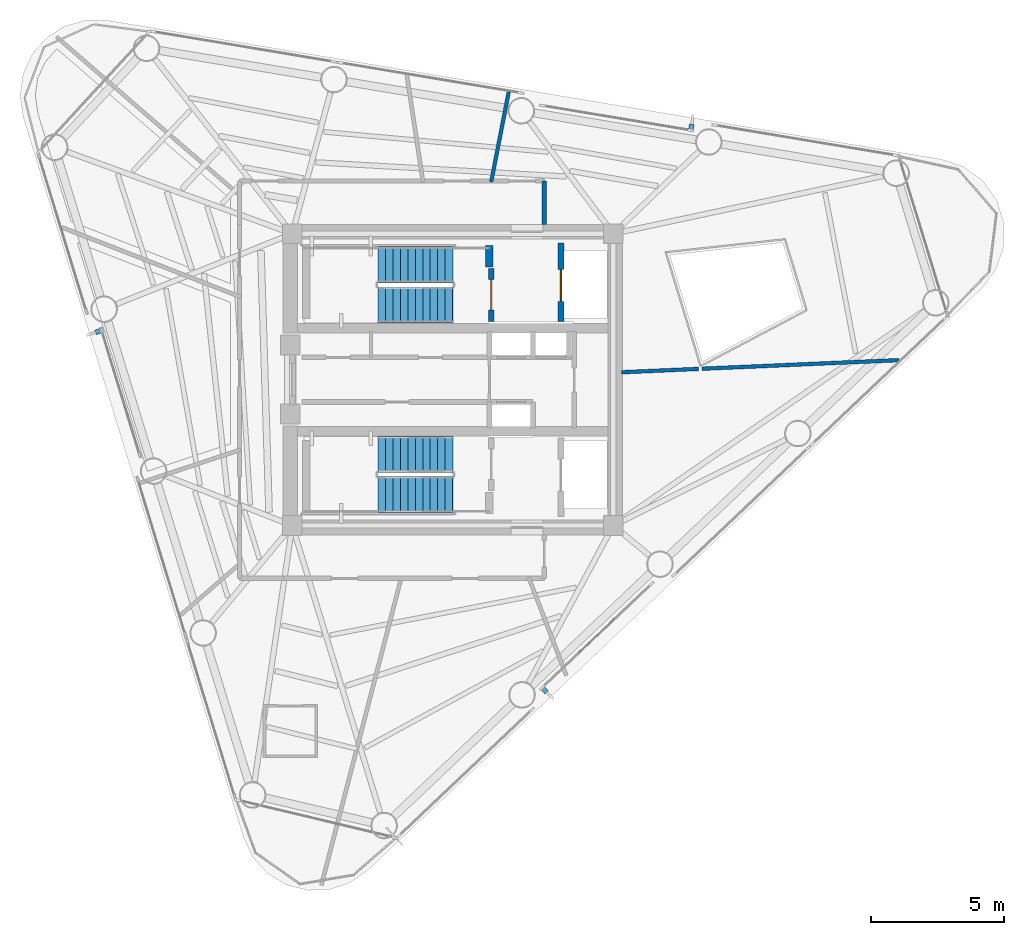
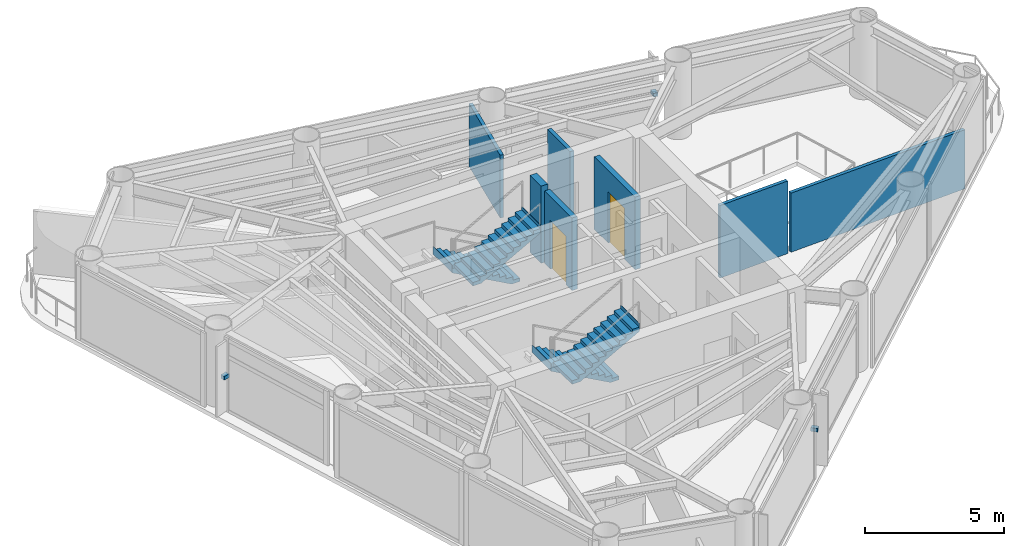
# One storey, part 6 of 8: 7 walls, 4 stair flights, 3 discrete accessories, 2 doors, 2 openings, 2 elements without a shape of their own.
"""IFC4 building model written with IfcOpenShell, lengths in metres."""

from ifc_helpers import new_model, si_unit, direction, frame, frame_2d, origin, origin_2d, place, context, subcontext, project, spatial, polyline, rectangle, outline, extrude, source, transform, mapped, material, layer, layer_set, type_object, element, fill, aggregate, save


model = new_model("IFC4")

# Units and contexts
model_context = context("Model", 3, precision=1e-05, world=origin(), true_north=direction((0.0, 1.0)))
body_context = subcontext(model_context, "Body", "Model", "MODEL_VIEW")
ifc_project = project(units=[si_unit("LENGTHUNIT", "METRE"), si_unit("AREAUNIT", "SQUARE_METRE"), si_unit("VOLUMEUNIT", "CUBIC_METRE"), si_unit("PLANEANGLEUNIT", "RADIAN"), si_unit("MASSUNIT", "GRAM", prefix="KILO")], contexts=[model_context])

# Site, building, storey
site_placement = place(None, origin())
site = spatial("IfcSite", under=ifc_project, at=site_placement, CompositionType="ELEMENT")
building_placement = place(site_placement, origin())
building = spatial("IfcBuilding", under=site, at=building_placement, Name="Yunling Apex Tower", CompositionType="ELEMENT")
storey_placement = place(building_placement, frame((0.0, 0.0, 238.85009765625)))
storey = spatial("IfcBuildingStorey", under=building, at=storey_placement, Name="L58", CompositionType="ELEMENT", Elevation=238.85009765625)

# Walls
ifc_material_1 = material(Name="Concrete C40", Category="concrete")
ifc_layer_1 = layer(ifc_material_1, 0.280029296875)
ifc_layer_set_1 = layer_set([ifc_layer_1], Name="Concrete C40")
wall_type_1 = type_object("IfcWallType", Name="WL-COR-8", PredefinedType="SHEAR", material=ifc_layer_set_1)
wall_1_placement = place(storey_placement, frame((1.3798828125, 4.25, 0.0), z_axis=(0.0, 0.0, 1.0), x_axis=(0.0, 1.0, 0.0)))
element("IfcWall", 1, at=wall_1_placement, inside=storey, type_object=wall_type_1, Name="L58 ST-1 East Landing Bearing Pier", PredefinedType="SHEAR", context=body_context, shape_type="SweptSolid", body=[
    extrude(rectangle(XDim=0.800048828125, YDim=0.280029296875, at=frame_2d((0.39990234375, 0.0))), origin(), (0.0, 0.0, 1.0), 3.39990234375),
])
ifc_material_2 = material(Name="Gypsum board acoustic partition")
ifc_layer_2 = layer(ifc_material_2, 0.159912109375)
ifc_layer_set_2 = layer_set([ifc_layer_2], Name="Gypsum board acoustic partition")
wall_type_2 = type_object("IfcWallType", Name="WL-PRT-1", PredefinedType="PARTITIONING", material=ifc_layer_set_2)
wall_2_placement = place(storey_placement, frame((3.449951171875, 7.489990234375, 0.0), z_axis=(0.0, 0.0, 1.0), x_axis=(0.0, -1.0, 0.0)))
element("IfcWall", 2, at=wall_2_placement, inside=storey, type_object=wall_type_2, Name="WL-CORR-L58-04", PredefinedType="PARTITIONING", context=body_context, shape_type="SweptSolid", body=[
    extrude(rectangle(XDim=1.639892578125, YDim=0.159912109375, at=frame_2d((0.81982421875, 0.0))), origin(), (0.0, 0.0, 1.0), 3.199951171875),
])
ifc_layer_3 = layer(ifc_material_2, 0.139892578125)
ifc_layer_set_3 = layer_set([ifc_layer_3], Name="Gypsum board acoustic partition")
wall_type_3 = type_object("IfcWallType", Name="WL-PRT-2", PredefinedType="PARTITIONING", material=ifc_layer_set_3)
wall_3_placement = place(storey_placement, frame((6.360107421875, 0.277587890625, 0.0), z_axis=(0.0, 0.0, 1.0), x_axis=(0.999048037217, 0.043623609819, 0.0)))
element("IfcWall", 3, at=wall_3_placement, inside=storey, type_object=wall_type_3, Name="WL-RAD-L58-01", PredefinedType="PARTITIONING", context=body_context, shape_type="SweptSolid", body=[
    extrude(rectangle(XDim=2.89892578125, YDim=0.139892578125, at=frame_2d((1.449462890625, 0.0))), origin(), (0.0, 0.0, 1.0), 3.199951171875),
])
wall_4_placement = place(storey_placement, frame((9.389892578125, 0.409912109375, 0.0), z_axis=(0.0, 0.0, 1.0), x_axis=(0.999047971421, 0.043625116619, 0.0)))
element("IfcWall", 4, at=wall_4_placement, inside=storey, type_object=wall_type_3, Name="WL-RAD-L58-02", PredefinedType="PARTITIONING", context=body_context, shape_type="SweptSolid", body=[
    extrude(rectangle(XDim=7.443115234375, YDim=0.139892578125, at=frame_2d((3.7216796875, 0.0))), origin(), (0.0, 0.0, 1.0), 2.60498046875),
])
wall_5_placement = place(storey_placement, frame((1.447998046875, 7.449951171875, 0.0), z_axis=(0.0, 0.0, 1.0), x_axis=(0.19085452876, 0.981618331558, 0.0)))
element("IfcWall", 5, at=wall_5_placement, inside=storey, type_object=wall_type_3, Name="WL-RAD-L58-03", PredefinedType="PARTITIONING", context=body_context, shape_type="SweptSolid", body=[
    extrude(rectangle(XDim=3.455078125, YDim=0.139892578125, at=frame_2d((1.7275390625, 0.0))), origin(), (0.0, 0.0, 1.0), 2.764892578125),
])

# Wall, opening, door
ifc_material_3 = material(Name="Autoclaved aerated concrete masonry", Category="masonry")
ifc_layer_4 = layer(ifc_material_3, 0.219970703125)
ifc_layer_set_4 = layer_set([ifc_layer_4], Name="Autoclaved aerated concrete masonry")
wall_type_4 = type_object("IfcWallType", Name="WL-SHF-1", PredefinedType="PLUMBINGWALL", material=ifc_layer_set_4)
wall_6_placement = place(storey_placement, frame((1.449951171875, 2.199951171875, 0.0), z_axis=(0.0, 0.0, 1.0), x_axis=(0.0, 1.0, 0.0)))
wall_6 = element("IfcWall", 6, at=wall_6_placement, inside=storey, type_object=wall_type_4, Name="WL-ST1-E-L58", PredefinedType="PLUMBINGWALL", context=body_context, shape_type="SweptSolid", body=[
    extrude(rectangle(XDim=1.97998046875, YDim=0.219970703125, at=frame_2d((0.989990234375, 0.0))), origin(), (0.0, 0.0, 1.0), 3.199951171875),
])
opening_1_placement = place(wall_6_placement, frame((0.419921875, 0.0, 0.0)))
opening_1 = element("IfcOpeningElement", 7, at=opening_1_placement, cuts=wall_6, Name="Opening DR-ST-1", PredefinedType="OPENING", context=body_context, shape_type="SweptSolid", body=[
    extrude(rectangle(XDim=1.14990234375, YDim=2.14990234375, at=frame_2d((0.574951171875, 1.074951171875))), frame((0.0, 0.1201171875, 0.0), z_axis=(0.0, -1.0, 0.0), x_axis=(1.0, 0.0, 0.0)), (0.0, 0.0, 1.0), 0.239990234375),
])
ifc_material_4 = material(Name="Steel Q355B", Category="steel")
door_type_1 = type_object("IfcDoorType", Name="DR-ST-1", OperationType="NOTDEFINED", PredefinedType="DOOR", material=ifc_material_4)
door_1_placement = place(opening_1_placement, origin())
door_1 = element("IfcDoor", 8, at=door_1_placement, inside=storey, type_object=door_type_1, Name="L58 Stair ST-1 Fire Door", OperationType="SINGLE_SWING_LEFT", OverallHeight=2.14990234375, OverallWidth=1.14990234375, PredefinedType="DOOR", context=body_context, shape_type="SweptSolid", body=[
    extrude(rectangle(XDim=1.14990234375, YDim=2.14990234375, at=frame_2d((0.574951171875, 1.074951171875))), frame((0.0, 0.02490234375, 0.0), z_axis=(0.0, -1.0, 0.0), x_axis=(1.0, 0.0, 0.0)), (0.0, 0.0, 1.0), 0.050048828125),
])
fill(opening_1, door_1)

wall_7_placement = place(storey_placement, frame((4.080078125, 2.199951171875, 0.0), z_axis=(0.0, 0.0, 1.0), x_axis=(0.0, 1.0, 0.0)))
wall_7 = element("IfcWall", 9, at=wall_7_placement, inside=storey, type_object=wall_type_4, Name="WL-FFL1-W-L58", PredefinedType="PLUMBINGWALL", context=body_context, shape_type="SweptSolid", body=[
    extrude(rectangle(XDim=2.949951171875, YDim=0.219970703125, at=frame_2d((1.47509765625, 0.0))), origin(), (0.0, 0.0, 1.0), 3.199951171875),
])
opening_2_placement = place(wall_7_placement, frame((0.75, 0.0, 0.0)))
opening_2 = element("IfcOpeningElement", 10, at=opening_2_placement, cuts=wall_7, Name="Opening LD-FFL-1", PredefinedType="OPENING", context=body_context, shape_type="SweptSolid", body=[
    extrude(rectangle(XDim=1.199951171875, YDim=2.25, at=frame_2d((0.60009765625, 1.125))), frame((0.0, 0.1201171875, 0.0), z_axis=(0.0, -1.0, 0.0), x_axis=(1.0, 0.0, 0.0)), (0.0, 0.0, 1.0), 0.239990234375),
])
door_type_2 = type_object("IfcDoorType", Name="LD-FFL-1", OperationType="DOUBLE_DOOR_SLIDING", PredefinedType="DOOR", material=ifc_material_4)
door_2_placement = place(opening_2_placement, origin())
door_2 = element("IfcDoor", 11, at=door_2_placement, inside=storey, type_object=door_type_2, Name="L58 Lift FFL-1 Landing Door", OperationType="DOUBLE_DOOR_SLIDING", OverallHeight=2.25, OverallWidth=1.199951171875, PredefinedType="DOOR", context=body_context, shape_type="SweptSolid", body=[
    extrude(rectangle(XDim=1.199951171875, YDim=2.25, at=frame_2d((0.60009765625, 1.125))), frame((0.0, 0.02490234375, 0.0), z_axis=(0.0, -1.0, 0.0), x_axis=(1.0, 0.0, 0.0)), (0.0, 0.0, 1.0), 0.050048828125),
])
fill(opening_2, door_2)

# Stair, stair flights
stair_type = type_object("IfcStairType", Name="ST-TWR-3", PredefinedType="HALF_TURN_STAIR", material=ifc_material_1)
stair_1_placement = place(storey_placement, origin())
stair_1 = element("IfcStair", 12, at=stair_1_placement, inside=storey, type_object=stair_type, Name="L58 North Core Smokeproof Exit Stair ST-1", PredefinedType="HALF_TURN_STAIR")
stair_flight_type = type_object("IfcStairFlightType", Name="SFL-TWR-3", PredefinedType="STRAIGHT", material=ifc_material_1)
stair_flight_1_placement = place(storey_placement, frame((-0.010009765625, 4.330078125, 0.0), z_axis=(0.0, 0.0, 1.0), x_axis=(-1.0, 0.0, 0.0)))
stair_flight_1 = element("IfcStairFlight", 13, at=stair_flight_1_placement, type_object=stair_flight_type, Name="ST-1 flight 1", NumberOfRisers=11, NumberOfTreads=10, PredefinedType="STRAIGHT", RiserHeight=0.154545455, TreadLength=0.28, context=body_context, shape_type="SweptSolid", body=[
    extrude(outline(polyline([(-0.011962890625, 0.0), (-0.011962890625, 0.154541015625), (0.0, 0.154541015625), (0.280029296875, 0.154541015625), (0.280029296875, 0.30908203125), (0.56005859375, 0.30908203125), (0.56005859375, 0.463623046875), (0.840087890625, 0.463623046875), (0.840087890625, 0.6181640625), (1.1201171875, 0.6181640625), (1.1201171875, 0.772705078125), (1.39990234375, 0.772705078125), (1.39990234375, 0.92724609375), (1.679931640625, 0.92724609375), (1.679931640625, 1.081787109375), (1.9599609375, 1.081787109375), (1.9599609375, 1.236328125), (2.239990234375, 1.236328125), (2.239990234375, 1.390869140625), (2.52001953125, 1.390869140625), (2.52001953125, 1.54541015625), (2.800048828125, 1.54541015625), (2.800048828125, 1.699951171875), (2.81201171875, 1.699951171875), (2.81201171875, 1.36279296875), (0.330810546875, 0.0), (-0.011962890625, 0.0)])), frame((0.0, 0.68017578125, 0.0), z_axis=(0.0, -1.0, 0.0), x_axis=(1.0, 0.0, 0.0)), (0.0, 0.0, 1.0), 1.360107421875),
])
stair_flight_2_placement = place(storey_placement, frame((-2.81005859375, 2.820068359375, 1.699951171875), z_axis=(0.0, 0.0, 1.0), x_axis=(1.0, 0.0, 0.0)))
stair_flight_2 = element("IfcStairFlight", 14, at=stair_flight_2_placement, type_object=stair_flight_type, Name="ST-1 flight 2", NumberOfRisers=11, NumberOfTreads=10, PredefinedType="STRAIGHT", RiserHeight=0.154545455, TreadLength=0.28, context=body_context, shape_type="SweptSolid", body=[
    extrude(outline(polyline([(-0.011962890625, 0.0), (-0.011962890625, 0.154541015625), (0.0, 0.154541015625), (0.280029296875, 0.154541015625), (0.280029296875, 0.30908203125), (0.56005859375, 0.30908203125), (0.56005859375, 0.463623046875), (0.840087890625, 0.463623046875), (0.840087890625, 0.6181640625), (1.1201171875, 0.6181640625), (1.1201171875, 0.772705078125), (1.39990234375, 0.772705078125), (1.39990234375, 0.92724609375), (1.679931640625, 0.92724609375), (1.679931640625, 1.081787109375), (1.9599609375, 1.081787109375), (1.9599609375, 1.236328125), (2.239990234375, 1.236328125), (2.239990234375, 1.390869140625), (2.52001953125, 1.390869140625), (2.52001953125, 1.54541015625), (2.800048828125, 1.54541015625), (2.800048828125, 1.699951171875), (2.81201171875, 1.699951171875), (2.81201171875, 1.36279296875), (0.330810546875, 0.0), (-0.011962890625, 0.0)])), frame((0.0, 0.68017578125, 0.0), z_axis=(0.0, -1.0, 0.0), x_axis=(1.0, 0.0, 0.0)), (0.0, 0.0, 1.0), 1.360107421875),
])
aggregate(stair_1, [stair_flight_1, stair_flight_2])

stair_2_placement = place(storey_placement, origin())
stair_2 = element("IfcStair", 15, at=stair_2_placement, inside=storey, type_object=stair_type, Name="L58 South Core Smokeproof Exit Stair ST-2", PredefinedType="HALF_TURN_STAIR")
stair_flight_3_placement = place(storey_placement, frame((-0.010009765625, -2.820068359375, 0.0), z_axis=(0.0, 0.0, 1.0), x_axis=(-1.0, 0.0, 0.0)))
stair_flight_3 = element("IfcStairFlight", 16, at=stair_flight_3_placement, type_object=stair_flight_type, Name="ST-2 flight 1", NumberOfRisers=11, NumberOfTreads=10, PredefinedType="STRAIGHT", RiserHeight=0.154545455, TreadLength=0.28, context=body_context, shape_type="SweptSolid", body=[
    extrude(outline(polyline([(-0.011962890625, 0.0), (-0.011962890625, 0.154541015625), (0.0, 0.154541015625), (0.280029296875, 0.154541015625), (0.280029296875, 0.30908203125), (0.56005859375, 0.30908203125), (0.56005859375, 0.463623046875), (0.840087890625, 0.463623046875), (0.840087890625, 0.6181640625), (1.1201171875, 0.6181640625), (1.1201171875, 0.772705078125), (1.39990234375, 0.772705078125), (1.39990234375, 0.92724609375), (1.679931640625, 0.92724609375), (1.679931640625, 1.081787109375), (1.9599609375, 1.081787109375), (1.9599609375, 1.236328125), (2.239990234375, 1.236328125), (2.239990234375, 1.390869140625), (2.52001953125, 1.390869140625), (2.52001953125, 1.54541015625), (2.800048828125, 1.54541015625), (2.800048828125, 1.699951171875), (2.81201171875, 1.699951171875), (2.81201171875, 1.36279296875), (0.330810546875, 0.0), (-0.011962890625, 0.0)])), frame((0.0, 0.68017578125, 0.0), z_axis=(0.0, -1.0, 0.0), x_axis=(1.0, 0.0, 0.0)), (0.0, 0.0, 1.0), 1.360107421875),
])
stair_flight_4_placement = place(storey_placement, frame((-2.81005859375, -4.330078125, 1.699951171875), z_axis=(0.0, 0.0, 1.0), x_axis=(1.0, 0.0, 0.0)))
stair_flight_4 = element("IfcStairFlight", 17, at=stair_flight_4_placement, type_object=stair_flight_type, Name="ST-2 flight 2", NumberOfRisers=11, NumberOfTreads=10, PredefinedType="STRAIGHT", RiserHeight=0.154545455, TreadLength=0.28, context=body_context, shape_type="SweptSolid", body=[
    extrude(outline(polyline([(-0.011962890625, 0.0), (-0.011962890625, 0.154541015625), (0.0, 0.154541015625), (0.280029296875, 0.154541015625), (0.280029296875, 0.30908203125), (0.56005859375, 0.30908203125), (0.56005859375, 0.463623046875), (0.840087890625, 0.463623046875), (0.840087890625, 0.6181640625), (1.1201171875, 0.6181640625), (1.1201171875, 0.772705078125), (1.39990234375, 0.772705078125), (1.39990234375, 0.92724609375), (1.679931640625, 0.92724609375), (1.679931640625, 1.081787109375), (1.9599609375, 1.081787109375), (1.9599609375, 1.236328125), (2.239990234375, 1.236328125), (2.239990234375, 1.390869140625), (2.52001953125, 1.390869140625), (2.52001953125, 1.54541015625), (2.800048828125, 1.54541015625), (2.800048828125, 1.699951171875), (2.81201171875, 1.699951171875), (2.81201171875, 1.36279296875), (0.330810546875, 0.0), (-0.011962890625, 0.0)])), frame((0.0, 0.68017578125, 0.0), z_axis=(0.0, -1.0, 0.0), x_axis=(1.0, 0.0, 0.0)), (0.0, 0.0, 1.0), 1.360107421875),
])
aggregate(stair_2, [stair_flight_3, stair_flight_4])

# Discrete accessories
discrete_accessory_type = type_object("IfcDiscreteAccessoryType", Name="BK-FIN-1", PredefinedType="BRACKET", material=ifc_material_4)
shared_shape = source(origin(), body_context, "Body", "SweptSolid", [
    extrude(rectangle(XDim=0.179931640625, YDim=0.260009765625, at=origin_2d()), origin(), (0.0, 0.0, 1.0), 0.159912109375),
])
for number, where, z_axis, x_axis, name in (
    (18, (3.443603515625, -11.68505859375, 1.52978515625), (0.0, 0.0, 1.0), (0.725854756355, 0.687848001144, 0.0), "CW-L58-F1-B2-BRK-01-1"),
    (19, (8.989013671875, 9.502197265625, 1.52978515625), (0.0, 0.0, 1.0), (-0.986400586142, 0.164359008451, 0.0), "CW-L58-F2-B2-BRK-01-1"),
    (20, (-13.33642578125, 1.822265625, 1.52978515625), (0.0, 0.0, 1.0), (0.292371704723, -0.956304755963, 0.0), "CW-L58-F3-B2-BRK-01-1"),
):
    element("IfcDiscreteAccessory", number, at=place(storey_placement, frame(where, z_axis=z_axis, x_axis=x_axis)), inside=storey, type_object=discrete_accessory_type, Name=name, PredefinedType="BRACKET", context=body_context, shape_type="MappedRepresentation", body=[
        mapped(shared_shape, transform((0.0, 0.0, 0.0), scale=1.0)),
    ])

save(model, "model.ifc")
